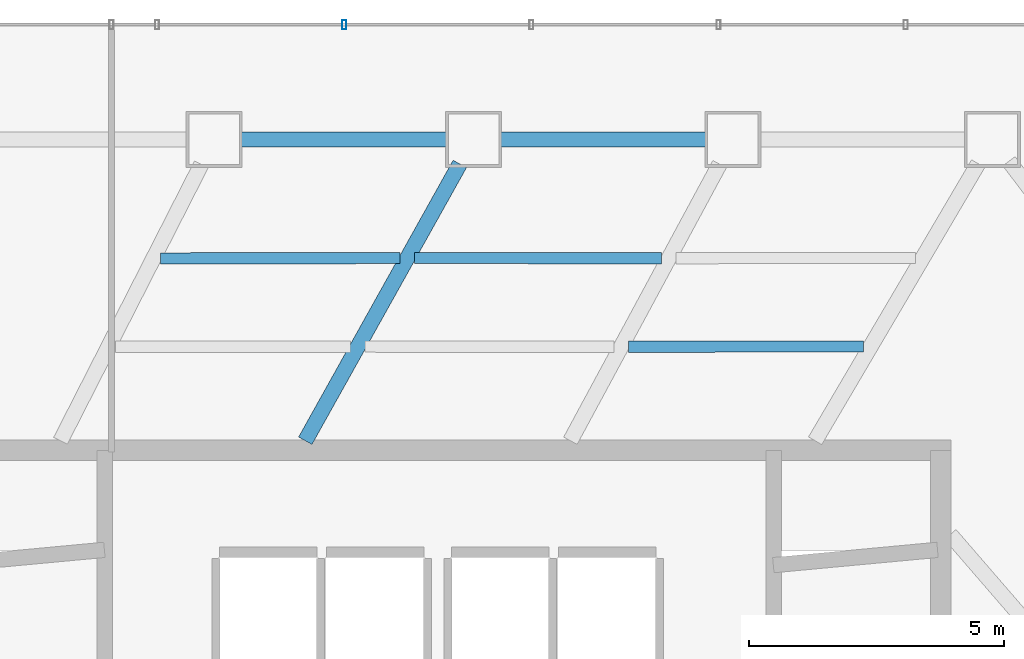
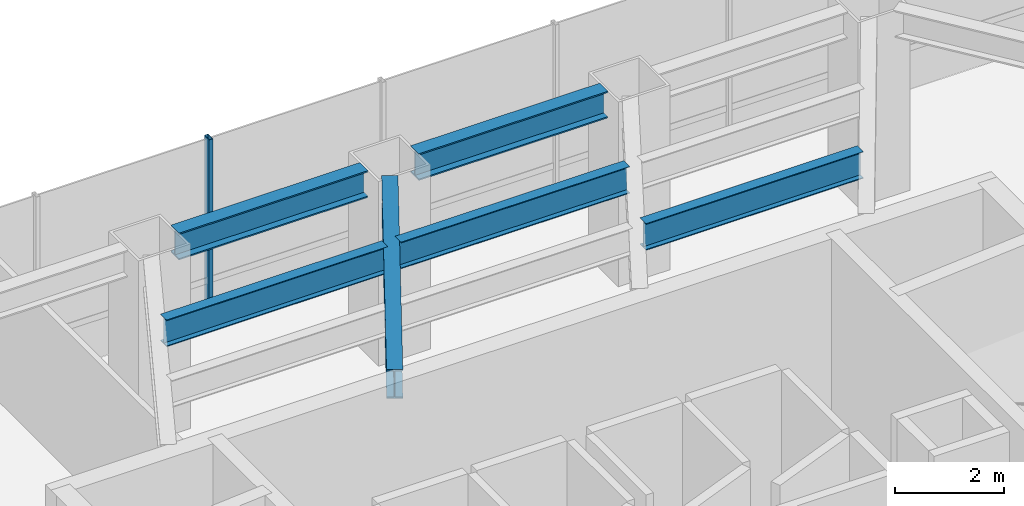
# One storey, part 21 of 37: 6 beams, 1 member, 1 element without a shape of its own.
"""IFC4 building model written with IfcOpenShell, lengths in metres."""

from ifc_helpers import new_model, si_unit, direction, frame, origin, origin_2d, place, context, subcontext, project, spatial, hollow_rectangle, i_section, extrude, material, layer, layer_set, material_profile, profile_set, type_object, element, aggregate, save


model = new_model("IFC4")

# Units and contexts
model_context = context("Model", 3, precision=1e-05, world=origin(), true_north=direction((0.0, 1.0)))
body_context = subcontext(model_context, "Body", "Model", "MODEL_VIEW")
ifc_project = project(units=[si_unit("LENGTHUNIT", "METRE"), si_unit("AREAUNIT", "SQUARE_METRE"), si_unit("VOLUMEUNIT", "CUBIC_METRE"), si_unit("PLANEANGLEUNIT", "RADIAN"), si_unit("MASSUNIT", "GRAM", prefix="KILO")], contexts=[model_context])

# Site, building, storey
site_placement = place(None, origin())
site = spatial("IfcSite", under=ifc_project, at=site_placement, CompositionType="ELEMENT")
building_placement = place(site_placement, origin())
building = spatial("IfcBuilding", under=site, at=building_placement, Name="Zarrinselat Tower", CompositionType="ELEMENT")
storey_placement = place(building_placement, frame((0.0, 0.0, 9.52001953125)))
storey = spatial("IfcBuildingStorey", under=building, at=storey_placement, Name="L02", CompositionType="ELEMENT", Elevation=9.52001953125)

# Beams
ifc_material_1 = material(Name="Steel S355J2", Category="steel")
ifc_material_profile_1 = material_profile(ifc_material_1, i_section(OverallWidth=0.300048828125, OverallDepth=0.60009765625, WebThickness=0.015380859375, FlangeThickness=0.030029296875, at=origin_2d()), Name="HEB 600")
ifc_profile_set_1 = profile_set([ifc_material_profile_1], Name="Steel S355J2")
beam_type_1 = type_object("IfcBeamType", Name="BM-HEB600", PredefinedType="BEAM", material=ifc_profile_set_1)
for number, where, z_axis, x_axis, name in (
    (1, (39.637939453125, 49.550048828125, 3.840087890625), (1.0, 0.0, 0.0), (0.0, 1.0, 0.0), "L02 Perimeter Spandrel Girder SP02"),
    (2, (34.549560546875, 49.550048828125, 3.840087890625), (1.0, 0.0, 0.0), (0.0, 1.0, 0.0), "L02 Perimeter Spandrel Girder SP03"),
):
    element("IfcBeam", number, at=place(storey_placement, frame(where, z_axis=z_axis, x_axis=x_axis)), inside=storey, type_object=beam_type_1, Name=name, PredefinedType="BEAM", context=body_context, shape_type="SweptSolid", body=[
        extrude(i_section(OverallWidth=0.300048828125, OverallDepth=0.60009765625, WebThickness=0.015380859375, FlangeThickness=0.030029296875, at=origin_2d()), origin(), (0.0, 0.0, 1.0), 4.012451171875),
    ])
ifc_material_2 = material(Name="Steel S355J2", Category="steel")
ifc_material_profile_2 = material_profile(ifc_material_2, i_section(OverallWidth=0.300048828125, OverallDepth=0.64990234375, WebThickness=0.01611328125, FlangeThickness=0.031005859375, at=origin_2d()), Name="HEB 650")
ifc_profile_set_2 = profile_set([ifc_material_profile_2], Name="Steel S355J2")
beam_type_2 = type_object("IfcBeamType", Name="BM-HEB650", PredefinedType="BEAM", material=ifc_profile_set_2)
beam_1_placement = place(storey_placement, frame((35.800048828125, 43.639892578125, 3.81494140625), z_axis=(0.487495671471, 0.873125403535, 0.0), x_axis=(-0.873125403535, 0.487495671471, 0.0)))
element("IfcBeam", 3, at=beam_1_placement, inside=storey, type_object=beam_type_2, Name="L02 Radial Primary Girder RG03", PredefinedType="BEAM", context=body_context, shape_type="SweptSolid", body=[
    extrude(i_section(OverallWidth=0.300048828125, OverallDepth=0.64990234375, WebThickness=0.01611328125, FlangeThickness=0.031005859375, at=origin_2d()), origin(), (0.0, 0.0, 1.0), 6.217041015625),
])
ifc_material_3 = material(Name="Steel S355J2", Category="steel")
ifc_material_profile_3 = material_profile(ifc_material_3, i_section(OverallWidth=0.219970703125, OverallDepth=0.60009765625, WebThickness=0.011962890625, FlangeThickness=0.01904296875, at=origin_2d()), Name="IPE 600")
ifc_profile_set_3 = profile_set([ifc_material_profile_3], Name="Steel S355J2")
beam_type_3 = type_object("IfcBeamType", Name="BM-IPE600", PredefinedType="JOIST", material=ifc_profile_set_3)
beam_2_placement = place(storey_placement, frame((42.135009765625, 45.484375, 3.840087890625), z_axis=(0.999999763219, 0.000688158219, 0.0), x_axis=(-0.000688158219, 0.999999763219, 0.0)))
element("IfcBeam", 4, at=beam_2_placement, inside=storey, type_object=beam_type_3, Name="L02 Composite Floor Joist 7-2", PredefinedType="JOIST", context=body_context, shape_type="SweptSolid", body=[
    extrude(i_section(OverallWidth=0.219970703125, OverallDepth=0.60009765625, WebThickness=0.011962890625, FlangeThickness=0.01904296875, at=origin_2d()), origin(), (0.0, 0.0, 1.0), 4.612060546875),
])
beam_3_placement = place(storey_placement, frame((37.9404296875, 47.222412109375, 3.840087890625), z_axis=(0.999999873359, -0.000503271199, 0.0), x_axis=(0.000503271199, 0.999999873359, 0.0)))
element("IfcBeam", 5, at=beam_3_placement, inside=storey, type_object=beam_type_3, Name="L02 Composite Floor Joist 8-1", PredefinedType="JOIST", context=body_context, shape_type="SweptSolid", body=[
    extrude(i_section(OverallWidth=0.219970703125, OverallDepth=0.60009765625, WebThickness=0.011962890625, FlangeThickness=0.01904296875, at=origin_2d()), origin(), (0.0, 0.0, 1.0), 4.85107421875),
])
beam_4_placement = place(storey_placement, frame((32.962158203125, 47.21630859375, 3.840087890625), z_axis=(0.999999156163, 0.001299105119, 0.0), x_axis=(-0.001299105119, 0.999999156163, 0.0)))
element("IfcBeam", 6, at=beam_4_placement, inside=storey, type_object=beam_type_3, Name="L02 Composite Floor Joist 9-1", PredefinedType="JOIST", context=body_context, shape_type="SweptSolid", body=[
    extrude(i_section(OverallWidth=0.219970703125, OverallDepth=0.60009765625, WebThickness=0.011962890625, FlangeThickness=0.01904296875, at=origin_2d()), origin(), (0.0, 0.0, 1.0), 4.6982421875),
])

# Curtain wall, member
ifc_material_4 = material(Name="Extruded Aluminium Alloy EN AW-6063 T6", Category="aluminium")
ifc_layer = layer(ifc_material_4, 0.2099609375)
ifc_layer_set = layer_set([ifc_layer], Name="Extruded Aluminium Alloy EN AW-6063 T6")
curtain_wall_type = type_object("IfcCurtainWallType", Name="CWS-POD", PredefinedType="NOTDEFINED", material=ifc_layer_set)
curtain_wall_placement = place(storey_placement, origin())
curtain_wall = element("IfcCurtainWall", 7, at=curtain_wall_placement, inside=storey, type_object=curtain_wall_type, Name="L02 Unitised Curtain Wall CW-L02-F5", PredefinedType="NOTDEFINED")
ifc_material_5 = material(Name="Extruded Aluminium Alloy EN AW-6063 T6", Category="aluminium")
ifc_material_profile_4 = material_profile(ifc_material_5, hollow_rectangle(XDim=0.080078125, YDim=0.179931640625, WallThickness=0.0048828125, at=origin_2d()), Name="RHS 180x80x5")
ifc_profile_set_4 = profile_set([ifc_material_profile_4], Name="Extruded Aluminium Alloy EN AW-6063 T6")
member_type = type_object("IfcMemberType", Name="MEM-CW-MUL", PredefinedType="MULLION", material=ifc_profile_set_4)
member_placement = place(storey_placement, frame((36.564697265625, 51.800048828125, 0.0), z_axis=(0.0, 0.0, 1.0), x_axis=(-1.0, 0.0, 0.0)))
member = element("IfcMember", 8, at=member_placement, type_object=member_type, Name="CW-L02-F5 Mullion 9", PredefinedType="MULLION", context=body_context, shape_type="SweptSolid", body=[
    extrude(hollow_rectangle(XDim=0.080078125, YDim=0.179931640625, WallThickness=0.0048828125, at=origin_2d()), origin(), (0.0, 0.0, 1.0), 4.139892578125),
])
aggregate(curtain_wall, [member])

save(model, "model.ifc")
